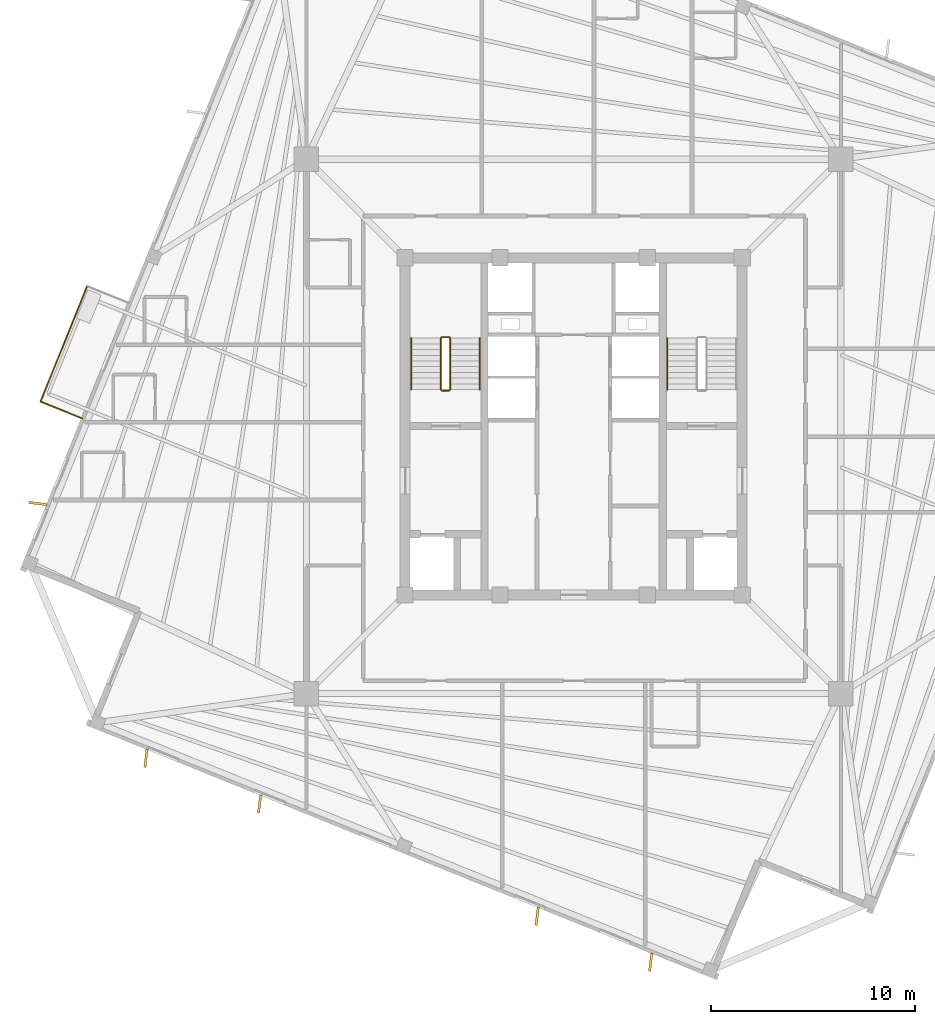
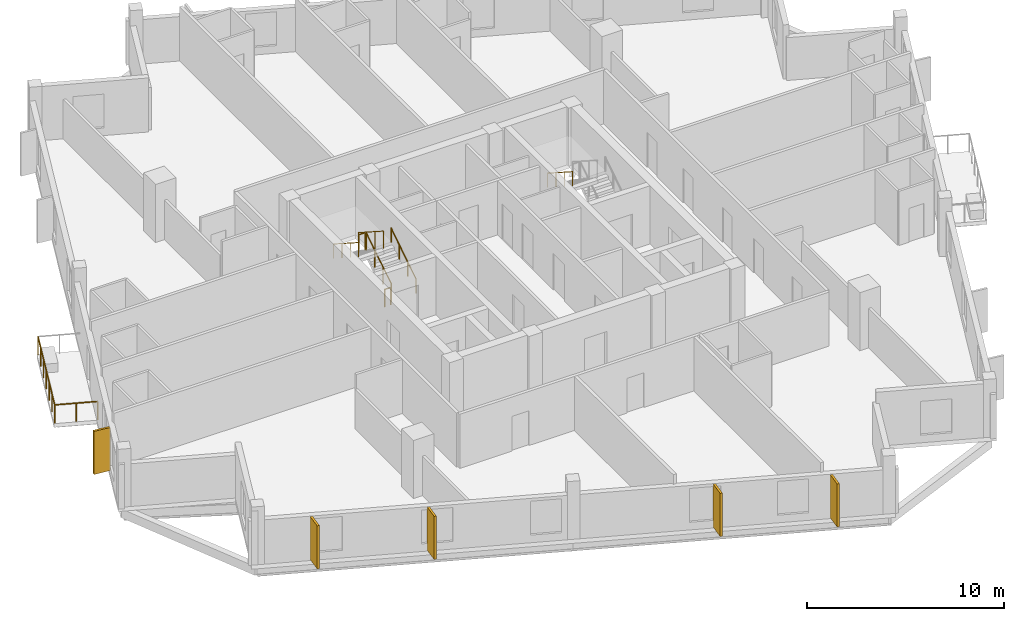
# One storey, part 7 of 9: 9 railings, 5 coverings.
"""IFC4 building model written with IfcOpenShell, lengths in metres."""

from ifc_helpers import new_model, si_unit, direction, frame, origin, origin_2d, place, context, subcontext, project, spatial, rectangle, circle, extrude, source, transform, mapped, material, layer, layer_set, type_object, element, save


model = new_model("IFC4")

# Units and contexts
model_context = context("Model", 3, precision=1e-05, world=origin(), true_north=direction((0.0, 1.0)))
body_context = subcontext(model_context, "Body", "Model", "MODEL_VIEW")
ifc_project = project(units=[si_unit("LENGTHUNIT", "METRE"), si_unit("AREAUNIT", "SQUARE_METRE"), si_unit("VOLUMEUNIT", "CUBIC_METRE"), si_unit("PLANEANGLEUNIT", "RADIAN"), si_unit("MASSUNIT", "GRAM", prefix="KILO"), si_unit("THERMODYNAMICTEMPERATUREUNIT", "KELVIN")], contexts=[model_context])

# Site, building, storey
site_placement = place(None, origin())
site = spatial("IfcSite", under=ifc_project, at=site_placement, CompositionType="ELEMENT")
building_placement = place(site_placement, origin())
building = spatial("IfcBuilding", under=site, at=building_placement, Name="Kosmvard Interchange Tower", CompositionType="ELEMENT")
storey_placement = place(building_placement, frame((0.0, 0.0, 301.199951171875)))
storey = spatial("IfcBuildingStorey", under=building, at=storey_placement, Name="L74", CompositionType="ELEMENT", Elevation=301.199951171875)

# Railing
ifc_material_1 = material(Name="Steel S355", Category="steel")
railing_type_1 = type_object("IfcRailingType", Name="Observation & Balcony Glass-Infill Balustrade 1150", PredefinedType="BALUSTRADE", material=ifc_material_1)
shared_shape_1 = source(origin(), body_context, "Body", "SweptSolid", [
    extrude(circle(Radius=0.02392578125, at=origin_2d()), frame((0.0, 0.0, 1.1259765625), z_axis=(0.927208487558, -0.374545618852, 0.0), x_axis=(0.374545618852, 0.927208487558, 0.0)), (0.0, 0.0, 1.0), 2.199951171875),
    extrude(circle(Radius=0.02099609375, at=origin_2d()), origin(), (0.0, 0.0, 1.0), 1.101806640625),
    extrude(circle(Radius=0.02099609375, at=origin_2d()), frame((1.02001953125, -0.412109375, 0.0)), (0.0, 0.0, 1.0), 1.101806640625),
    extrude(circle(Radius=0.02099609375, at=origin_2d()), frame((2.039794921875, -0.823974609375, 0.0)), (0.0, 0.0, 1.0), 1.101806640625),
])
railing_1_placement = place(storey_placement, frame((-26.095458984375, 1.2138671875, 0.0)))
element("IfcRailing", 1, at=railing_1_placement, inside=storey, type_object=railing_type_1, Name="L74 Outdoor Terrace Guard BAL-L74-NE-C", PredefinedType="BALUSTRADE", context=body_context, shape_type="MappedRepresentation", body=[
    mapped(shared_shape_1, transform((0.0, 0.0, 0.0), scale=1.0)),
])

# Coverings
ifc_material_2 = material(Name="Architectural anodised aluminium", Category="aluminium")
ifc_layer = layer(ifc_material_2, 0.1201171875, Name="Architectural anodised aluminium")
ifc_layer_set = layer_set([ifc_layer], Name="Architectural anodised aluminium")
covering_type = type_object("IfcCoveringType", Name="Rotating Vertical Sun-Breaker Fin 900x120 Aluminium", PredefinedType="CLADDING", material=ifc_layer_set)
shared_shape_2 = source(origin(), body_context, "Body", "SweptSolid", [
    extrude(rectangle(XDim=0.89990234375, YDim=0.1201171875, at=origin_2d()), origin(), (0.0, 0.0, 1.0), 2.669921875),
])
for number, where, z_axis, x_axis, name in (
    (2, (-26.223876953125, -3.775390625, 0.0400390625), (0.0, 0.0, 1.0), (-0.992757341929, 0.120136838835, 0.0), "L74 Rotating Vertical Sun-Breaker Fin 10"),
    (3, (-20.932373046875, -16.2412109375, 0.0400390625), (0.0, 0.0, 1.0), (-0.120136838835, -0.992757341929, 0.0), "L74 Rotating Vertical Sun-Breaker Fin 11"),
    (4, (-15.373046875, -18.4873046875, 0.0400390625), (0.0, 0.0, 1.0), (-0.120136838835, -0.992757341929, 0.0), "L74 Rotating Vertical Sun-Breaker Fin 12"),
    (5, (-1.783935546875, -23.977783203125, 0.0400390625), (0.0, 0.0, 1.0), (-0.120136838835, -0.992757341929, 0.0), "L74 Rotating Vertical Sun-Breaker Fin 13"),
    (6, (3.775390625, -26.223876953125, 0.0400390625), (0.0, 0.0, 1.0), (-0.120136838835, -0.992757341929, 0.0), "L74 Rotating Vertical Sun-Breaker Fin 14"),
):
    element("IfcCovering", number, at=place(storey_placement, frame(where, z_axis=z_axis, x_axis=x_axis)), inside=storey, type_object=covering_type, Name=name, PredefinedType="CLADDING", context=body_context, shape_type="MappedRepresentation", body=[
        mapped(shared_shape_2, transform((0.0, 0.0, 0.0), scale=1.0)),
    ])

# Railings
shared_shape_3 = source(origin(), body_context, "Body", "SweptSolid", [
    extrude(circle(Radius=0.02392578125, at=origin_2d()), frame((0.0, 0.0, 1.1259765625), z_axis=(-0.374617894384, -0.927179288599, 0.0), x_axis=(0.927179288599, -0.374617894384, 0.0)), (0.0, 0.0, 1.0), 6.099853515625),
    extrude(circle(Radius=0.02099609375, at=origin_2d()), origin(), (0.0, 0.0, 1.0), 1.101806640625),
    extrude(circle(Radius=0.02099609375, at=origin_2d()), frame((-0.380859375, -0.942626953125, 0.0)), (0.0, 0.0, 1.0), 1.101806640625),
    extrude(circle(Radius=0.02099609375, at=origin_2d()), frame((-0.76171875, -1.88525390625, 0.0)), (0.0, 0.0, 1.0), 1.101806640625),
    extrude(circle(Radius=0.02099609375, at=origin_2d()), frame((-1.142578125, -2.827880859375, 0.0)), (0.0, 0.0, 1.0), 1.101806640625),
    extrude(circle(Radius=0.02099609375, at=origin_2d()), frame((-1.5234375, -3.7705078125, 0.0)), (0.0, 0.0, 1.0), 1.101806640625),
    extrude(circle(Radius=0.02099609375, at=origin_2d()), frame((-1.904296875, -4.713134765625, 0.0)), (0.0, 0.0, 1.0), 1.101806640625),
    extrude(circle(Radius=0.02099609375, at=origin_2d()), frame((-2.28515625, -5.65576171875, 0.0)), (0.0, 0.0, 1.0), 1.101806640625),
])
railing_2_placement = place(storey_placement, frame((-23.810302734375, 6.86962890625, 0.0)))
element("IfcRailing", 7, at=railing_2_placement, inside=storey, type_object=railing_type_1, Name="L74 Outdoor Terrace Guard BAL-L74-NE-B", PredefinedType="BALUSTRADE", context=body_context, shape_type="MappedRepresentation", body=[
    mapped(shared_shape_3, transform((0.0, 0.0, 0.0), scale=1.0)),
])
railing_type_2 = type_object("IfcRailingType", Name="Stair & Terrace Safety Guardrail 1100 Steel", PredefinedType="GUARDRAIL", material=ifc_material_1)
shared_shape_4 = source(origin(), body_context, "Body", "SweptSolid", [
    extrude(circle(Radius=0.02392578125, at=origin_2d()), frame((0.0, 0.0, 1.076171875), z_axis=(-1.0, 0.0, 0.0), x_axis=(0.0, -1.0, 0.0)), (0.0, 0.0, 1.0), 0.35986328125),
    extrude(circle(Radius=0.02099609375, at=origin_2d()), origin(), (0.0, 0.0, 1.0), 1.052001953125),
    extrude(circle(Radius=0.02099609375, at=origin_2d()), frame((-0.35986328125, 0.0, 0.0)), (0.0, 0.0, 1.0), 1.052001953125),
])
for number, where, name in (
    (8, (-6.090087890625, 4.3701171875, 1.800048828125), "L74 ST-1 stair guard 2"),
    (9, (-6.090087890625, 1.75, 0.0), "L74 ST-1 stair guard 4"),
):
    element("IfcRailing", number, at=place(storey_placement, frame(where)), inside=storey, type_object=railing_type_2, Name=name, PredefinedType="GUARDRAIL", context=body_context, shape_type="MappedRepresentation", body=[
        mapped(shared_shape_4, transform((0.0, 0.0, 0.0), scale=1.0)),
    ])
shared_shape_5 = source(origin(), body_context, "Body", "SweptSolid", [
    extrude(circle(Radius=0.02392578125, at=origin_2d()), frame((0.0, 0.0, 1.076171875), z_axis=(0.0, 0.841162588446, 0.540782303519), x_axis=(-1.0, 0.0, 0.0)), (0.0, 0.0, 1.0), 2.995849609375),
    extrude(circle(Radius=0.02099609375, at=origin_2d()), origin(), (0.0, 0.0, 1.0), 1.052001953125),
    extrude(circle(Radius=0.02099609375, at=origin_2d()), frame((0.0, 0.840087890625, 0.5400390625)), (0.0, 0.0, 1.0), 1.052001953125),
    extrude(circle(Radius=0.02099609375, at=origin_2d()), frame((0.0, 1.679931640625, 1.080078125)), (0.0, 0.0, 1.0), 1.052001953125),
    extrude(circle(Radius=0.02099609375, at=origin_2d()), frame((0.0, 2.52001953125, 1.6201171875)), (0.0, 0.0, 1.0), 1.052001953125),
])
railing_3_placement = place(storey_placement, frame((-6.0400390625, 1.800048828125, 0.179931640625)))
element("IfcRailing", 10, at=railing_3_placement, inside=storey, type_object=railing_type_2, Name="L74 ST-1 stair guard 1", PredefinedType="GUARDRAIL", context=body_context, shape_type="MappedRepresentation", body=[
    mapped(shared_shape_5, transform((0.0, 0.0, 0.0), scale=1.0)),
])
shared_shape_6 = source(origin(), body_context, "Body", "SweptSolid", [
    extrude(circle(Radius=0.02392578125, at=origin_2d()), frame((0.0, 0.0, 1.076171875), z_axis=(0.0, -0.841162588446, 0.540782303519), x_axis=(1.0, 0.0, 0.0)), (0.0, 0.0, 1.0), 2.995849609375),
    extrude(circle(Radius=0.02099609375, at=origin_2d()), origin(), (0.0, 0.0, 1.0), 1.052001953125),
    extrude(circle(Radius=0.02099609375, at=origin_2d()), frame((0.0, -0.840087890625, 0.5400390625)), (0.0, 0.0, 1.0), 1.052001953125),
    extrude(circle(Radius=0.02099609375, at=origin_2d()), frame((0.0, -1.679931640625, 1.080078125)), (0.0, 0.0, 1.0), 1.052001953125),
    extrude(circle(Radius=0.02099609375, at=origin_2d()), frame((0.0, -2.52001953125, 1.6201171875)), (0.0, 0.0, 1.0), 1.052001953125),
])
railing_4_placement = place(storey_placement, frame((-6.5, 4.320068359375, 1.97998046875)))
element("IfcRailing", 11, at=railing_4_placement, inside=storey, type_object=railing_type_2, Name="L74 ST-1 stair guard 3", PredefinedType="GUARDRAIL", context=body_context, shape_type="MappedRepresentation", body=[
    mapped(shared_shape_6, transform((0.0, 0.0, 0.0), scale=1.0)),
])
railing_type_3 = type_object("IfcRailingType", Name="Wall-Mounted Stair Handrail 900 Steel", PredefinedType="HANDRAIL", material=ifc_material_1)
shared_shape_7 = source(origin(), body_context, "Body", "SweptSolid", [
    extrude(circle(Radius=0.02392578125, at=origin_2d()), frame((0.0, 0.0, 0.8759765625), z_axis=(0.0, 0.841162588446, 0.540782303519), x_axis=(-1.0, 0.0, 0.0)), (0.0, 0.0, 1.0), 2.995849609375),
    extrude(circle(Radius=0.02099609375, at=origin_2d()), origin(), (0.0, 0.0, 1.0), 0.851806640625),
    extrude(circle(Radius=0.02099609375, at=origin_2d()), frame((0.0, 0.840087890625, 0.5400390625)), (0.0, 0.0, 1.0), 0.851806640625),
    extrude(circle(Radius=0.02099609375, at=origin_2d()), frame((0.0, 1.679931640625, 1.080078125)), (0.0, 0.0, 1.0), 0.851806640625),
    extrude(circle(Radius=0.02099609375, at=origin_2d()), frame((0.0, 2.52001953125, 1.6201171875)), (0.0, 0.0, 1.0), 0.851806640625),
])
railing_5_placement = place(storey_placement, frame((-4.590087890625, 1.800048828125, 0.179931640625)))
element("IfcRailing", 12, at=railing_5_placement, inside=storey, type_object=railing_type_3, Name="L74 ST-1 stair handrail 1", PredefinedType="HANDRAIL", context=body_context, shape_type="MappedRepresentation", body=[
    mapped(shared_shape_7, transform((0.0, 0.0, 0.0), scale=1.0)),
])
shared_shape_8 = source(origin(), body_context, "Body", "SweptSolid", [
    extrude(circle(Radius=0.02392578125, at=origin_2d()), frame((0.0, 0.0, 0.8759765625), z_axis=(0.0, -0.841162588446, 0.540782303519), x_axis=(1.0, 0.0, 0.0)), (0.0, 0.0, 1.0), 2.995849609375),
    extrude(circle(Radius=0.02099609375, at=origin_2d()), origin(), (0.0, 0.0, 1.0), 0.851806640625),
    extrude(circle(Radius=0.02099609375, at=origin_2d()), frame((0.0, -0.840087890625, 0.5400390625)), (0.0, 0.0, 1.0), 0.851806640625),
    extrude(circle(Radius=0.02099609375, at=origin_2d()), frame((0.0, -1.679931640625, 1.080078125)), (0.0, 0.0, 1.0), 0.851806640625),
    extrude(circle(Radius=0.02099609375, at=origin_2d()), frame((0.0, -2.52001953125, 1.6201171875)), (0.0, 0.0, 1.0), 0.851806640625),
])
for number, where, name in (
    (13, (-7.949951171875, 4.320068359375, 1.97998046875), "L74 ST-1 stair handrail 2"),
    (14, (4.590087890625, 4.320068359375, 1.97998046875), "L74 ST-2 stair handrail 2"),
):
    element("IfcRailing", number, at=place(storey_placement, frame(where)), inside=storey, type_object=railing_type_3, Name=name, PredefinedType="HANDRAIL", context=body_context, shape_type="MappedRepresentation", body=[
        mapped(shared_shape_8, transform((0.0, 0.0, 0.0), scale=1.0)),
    ])

save(model, "model.ifc")
